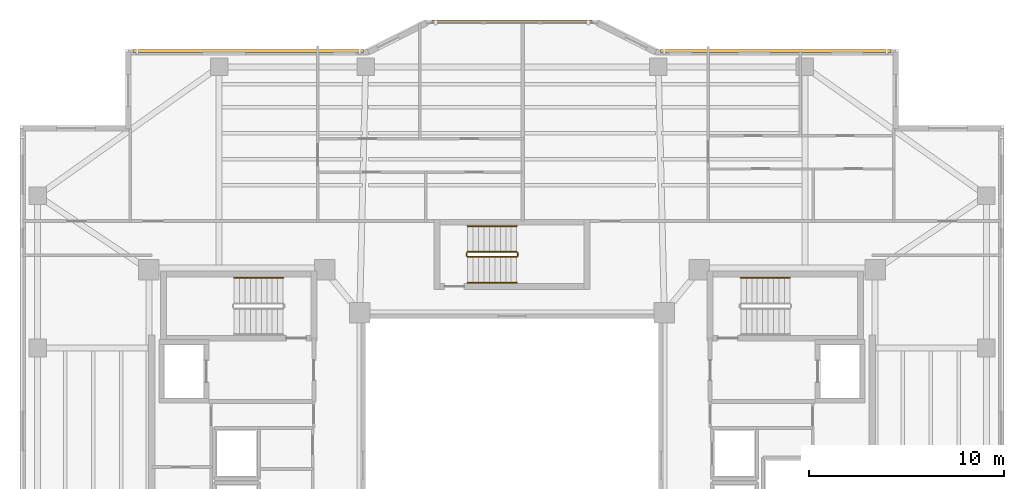
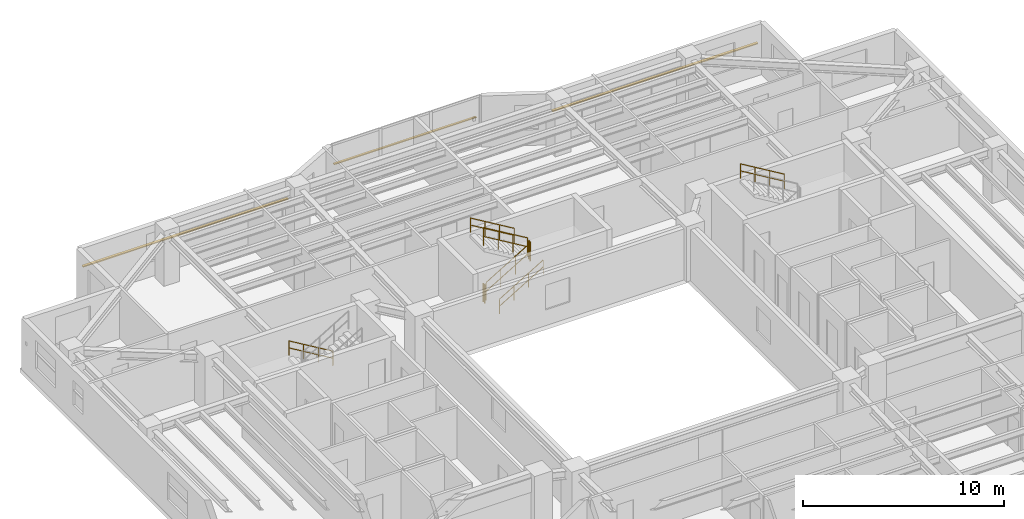
# One storey, part 15 of 15: 8 railings, 3 shading devices.
"""IFC4 building model written with IfcOpenShell, lengths in metres."""

from ifc_helpers import new_model, si_unit, direction, frame, origin, origin_2d, place, context, subcontext, project, spatial, rectangle, circle, extrude, material, material_profile, profile_set, type_object, element, save


model = new_model("IFC4")

# Units and contexts
model_context = context("Model", 3, precision=1e-05, world=origin(), true_north=direction((0.0, 1.0)))
body_context = subcontext(model_context, "Body", "Model", "MODEL_VIEW")
ifc_project = project(units=[si_unit("LENGTHUNIT", "METRE"), si_unit("AREAUNIT", "SQUARE_METRE"), si_unit("VOLUMEUNIT", "CUBIC_METRE"), si_unit("PLANEANGLEUNIT", "RADIAN"), si_unit("MASSUNIT", "GRAM", prefix="KILO")], contexts=[model_context])

# Site, building, storey
site_placement = place(None, origin())
site = spatial("IfcSite", under=ifc_project, at=site_placement, CompositionType="ELEMENT")
building_placement = place(site_placement, origin())
building = spatial("IfcBuilding", under=site, at=building_placement, Name="Tarnavaz Court Tower", CompositionType="ELEMENT")
storey_placement = place(building_placement, frame((0.0, 0.0, 162.75)))
storey = spatial("IfcBuildingStorey", under=building, at=storey_placement, Name="L44", CompositionType="ELEMENT", Elevation=162.75)

# Railings
ifc_material_1 = material(Name="Brushed Stainless Steel", Category="steel")
railing_type_1 = type_object("IfcRailingType", Name="RL-HANDRAIL-900", PredefinedType="HANDRAIL", material=ifc_material_1)
for number, where, name in (
    (1, (-11.719970703125, 9.590087890625, 0.16748046875), "L44 ST-W1 stair handrail 1"),
    (2, (14.239990234375, 9.590087890625, 1.842529296875), "L44 ST-E1 stair handrail 2"),
):
    element("IfcRailing", number, at=place(storey_placement, frame(where)), inside=storey, type_object=railing_type_1, Name=name, PredefinedType="HANDRAIL", context=body_context, shape_type="SweptSolid", body=[
        extrude(circle(Radius=0.02392578125, at=origin_2d()), frame((0.0, 0.0, 0.8759765625), z_axis=(-0.858159760407, 0.0, 0.513382728203), x_axis=(0.0, -1.0, 0.0)), (0.0, 0.0, 1.0), 2.9365234375),
        extrude(circle(Radius=0.02392578125, at=origin_2d()), frame((0.0, 0.0, 0.449951171875), z_axis=(-0.858159760407, 0.0, 0.513382728203), x_axis=(0.0, -1.0, 0.0)), (0.0, 0.0, 1.0), 2.9365234375),
        extrude(circle(Radius=0.02099609375, at=origin_2d()), origin(), (0.0, 0.0, 1.0), 0.851806640625),
        extrude(circle(Radius=0.02099609375, at=origin_2d()), frame((-0.840087890625, 0.0, 0.50244140625)), (0.0, 0.0, 1.0), 0.851806640625),
        extrude(circle(Radius=0.02099609375, at=origin_2d()), frame((-1.679931640625, 0.0, 1.005126953125)), (0.0, 0.0, 1.0), 0.851806640625),
        extrude(circle(Radius=0.02099609375, at=origin_2d()), frame((-2.52001953125, 0.0, 1.507568359375)), (0.0, 0.0, 1.0), 0.851806640625),
    ])
railing_1_placement = place(storey_placement, frame((-2.280029296875, 9.35009765625, 0.16748046875)))
element("IfcRailing", 3, at=railing_1_placement, inside=storey, type_object=railing_type_1, Name="L44 ST-N1 stair handrail 1", PredefinedType="HANDRAIL", context=body_context, shape_type="SweptSolid", body=[
    extrude(circle(Radius=0.02392578125, at=origin_2d()), frame((0.0, 0.0, 0.8759765625), z_axis=(0.858159760407, 0.0, 0.513382728203), x_axis=(0.0, 1.0, 0.0)), (0.0, 0.0, 1.0), 2.9365234375),
    extrude(circle(Radius=0.02392578125, at=origin_2d()), frame((0.0, 0.0, 0.449951171875), z_axis=(0.858159760407, 0.0, 0.513382728203), x_axis=(0.0, 1.0, 0.0)), (0.0, 0.0, 1.0), 2.9365234375),
    extrude(circle(Radius=0.02099609375, at=origin_2d()), origin(), (0.0, 0.0, 1.0), 0.851806640625),
    extrude(circle(Radius=0.02099609375, at=origin_2d()), frame((0.840087890625, 0.0, 0.50244140625)), (0.0, 0.0, 1.0), 0.851806640625),
    extrude(circle(Radius=0.02099609375, at=origin_2d()), frame((1.679931640625, 0.0, 1.005126953125)), (0.0, 0.0, 1.0), 0.851806640625),
    extrude(circle(Radius=0.02099609375, at=origin_2d()), frame((2.52001953125, 0.0, 1.507568359375)), (0.0, 0.0, 1.0), 0.851806640625),
])
railing_2_placement = place(storey_placement, frame((0.239990234375, 12.239990234375, 1.842529296875)))
element("IfcRailing", 4, at=railing_2_placement, inside=storey, type_object=railing_type_1, Name="L44 ST-N1 stair handrail 2", PredefinedType="HANDRAIL", context=body_context, shape_type="SweptSolid", body=[
    extrude(circle(Radius=0.02392578125, at=origin_2d()), frame((0.0, 0.0, 0.8759765625), z_axis=(-0.858159760407, 0.0, 0.513382728203), x_axis=(0.0, -1.0, 0.0)), (0.0, 0.0, 1.0), 2.9365234375),
    extrude(circle(Radius=0.02392578125, at=origin_2d()), frame((0.0, 0.0, 0.449951171875), z_axis=(-0.858159760407, 0.0, 0.513382728203), x_axis=(0.0, -1.0, 0.0)), (0.0, 0.0, 1.0), 2.9365234375),
    extrude(circle(Radius=0.02099609375, at=origin_2d()), origin(), (0.0, 0.0, 1.0), 0.851806640625),
    extrude(circle(Radius=0.02099609375, at=origin_2d()), frame((-0.840087890625, 0.0, 0.50244140625)), (0.0, 0.0, 1.0), 0.851806640625),
    extrude(circle(Radius=0.02099609375, at=origin_2d()), frame((-1.679931640625, 0.0, 1.005126953125)), (0.0, 0.0, 1.0), 0.851806640625),
    extrude(circle(Radius=0.02099609375, at=origin_2d()), frame((-2.52001953125, 0.0, 1.507568359375)), (0.0, 0.0, 1.0), 0.851806640625),
])
ifc_material_2 = material(Name="Galvanized Painted Tubular Steel", Category="steel")
railing_type_2 = type_object("IfcRailingType", Name="RL-STGUARD-1120", PredefinedType="GUARDRAIL", material=ifc_material_2)
railing_3_placement = place(storey_placement, frame((-2.280029296875, 10.669921875, 0.16748046875)))
element("IfcRailing", 5, at=railing_3_placement, inside=storey, type_object=railing_type_2, Name="L44 ST-N1 stair guard 1", PredefinedType="GUARDRAIL", context=body_context, shape_type="SweptSolid", body=[
    extrude(circle(Radius=0.02392578125, at=origin_2d()), frame((0.0, 0.0, 1.09619140625), z_axis=(0.858159760407, 0.0, 0.513382728203), x_axis=(0.0, 1.0, 0.0)), (0.0, 0.0, 1.0), 2.9365234375),
    extrude(circle(Radius=0.02392578125, at=origin_2d()), frame((0.0, 0.0, 0.56005859375), z_axis=(0.858159760407, 0.0, 0.513382728203), x_axis=(0.0, 1.0, 0.0)), (0.0, 0.0, 1.0), 2.9365234375),
    extrude(circle(Radius=0.02099609375, at=origin_2d()), origin(), (0.0, 0.0, 1.0), 1.072021484375),
    extrude(circle(Radius=0.02099609375, at=origin_2d()), frame((0.840087890625, 0.0, 0.50244140625)), (0.0, 0.0, 1.0), 1.072021484375),
    extrude(circle(Radius=0.02099609375, at=origin_2d()), frame((1.679931640625, 0.0, 1.005126953125)), (0.0, 0.0, 1.0), 1.072021484375),
    extrude(circle(Radius=0.02099609375, at=origin_2d()), frame((2.52001953125, 0.0, 1.507568359375)), (0.0, 0.0, 1.0), 1.072021484375),
])
railing_4_placement = place(storey_placement, frame((0.2900390625, 10.719970703125, 1.675048828125)))
element("IfcRailing", 6, at=railing_4_placement, inside=storey, type_object=railing_type_2, Name="L44 ST-N1 stair guard 2", PredefinedType="GUARDRAIL", context=body_context, shape_type="SweptSolid", body=[
    extrude(circle(Radius=0.02392578125, at=origin_2d()), frame((0.0, 0.0, 1.09619140625), z_axis=(0.0, 1.0, 0.0), x_axis=(-1.0, 0.0, 0.0)), (0.0, 0.0, 1.0), 0.150146484375),
    extrude(circle(Radius=0.02392578125, at=origin_2d()), frame((0.0, 0.0, 0.56005859375), z_axis=(0.0, 1.0, 0.0), x_axis=(-1.0, 0.0, 0.0)), (0.0, 0.0, 1.0), 0.150146484375),
    extrude(circle(Radius=0.02099609375, at=origin_2d()), origin(), (0.0, 0.0, 1.0), 1.072021484375),
    extrude(circle(Radius=0.02099609375, at=origin_2d()), frame((0.0, 0.150146484375, 0.0)), (0.0, 0.0, 1.0), 1.072021484375),
])
railing_5_placement = place(storey_placement, frame((0.239990234375, 10.919921875, 1.842529296875)))
element("IfcRailing", 7, at=railing_5_placement, inside=storey, type_object=railing_type_2, Name="L44 ST-N1 stair guard 3", PredefinedType="GUARDRAIL", context=body_context, shape_type="SweptSolid", body=[
    extrude(circle(Radius=0.02392578125, at=origin_2d()), frame((0.0, 0.0, 1.09619140625), z_axis=(-0.858159760407, 0.0, 0.513382728203), x_axis=(0.0, -1.0, 0.0)), (0.0, 0.0, 1.0), 2.9365234375),
    extrude(circle(Radius=0.02392578125, at=origin_2d()), frame((0.0, 0.0, 0.56005859375), z_axis=(-0.858159760407, 0.0, 0.513382728203), x_axis=(0.0, -1.0, 0.0)), (0.0, 0.0, 1.0), 2.9365234375),
    extrude(circle(Radius=0.02099609375, at=origin_2d()), origin(), (0.0, 0.0, 1.0), 1.072021484375),
    extrude(circle(Radius=0.02099609375, at=origin_2d()), frame((-0.840087890625, 0.0, 0.50244140625)), (0.0, 0.0, 1.0), 1.072021484375),
    extrude(circle(Radius=0.02099609375, at=origin_2d()), frame((-1.679931640625, 0.0, 1.005126953125)), (0.0, 0.0, 1.0), 1.072021484375),
    extrude(circle(Radius=0.02099609375, at=origin_2d()), frame((-2.52001953125, 0.0, 1.507568359375)), (0.0, 0.0, 1.0), 1.072021484375),
])
railing_6_placement = place(storey_placement, frame((-2.330078125, 10.719970703125, 0.0)))
element("IfcRailing", 8, at=railing_6_placement, inside=storey, type_object=railing_type_2, Name="L44 ST-N1 stair guard 4", PredefinedType="GUARDRAIL", context=body_context, shape_type="SweptSolid", body=[
    extrude(circle(Radius=0.02392578125, at=origin_2d()), frame((0.0, 0.0, 1.09619140625), z_axis=(0.0, 1.0, 0.0), x_axis=(-1.0, 0.0, 0.0)), (0.0, 0.0, 1.0), 0.150146484375),
    extrude(circle(Radius=0.02392578125, at=origin_2d()), frame((0.0, 0.0, 0.56005859375), z_axis=(0.0, 1.0, 0.0), x_axis=(-1.0, 0.0, 0.0)), (0.0, 0.0, 1.0), 0.150146484375),
    extrude(circle(Radius=0.02099609375, at=origin_2d()), origin(), (0.0, 0.0, 1.0), 1.072021484375),
    extrude(circle(Radius=0.02099609375, at=origin_2d()), frame((0.0, 0.150146484375, 0.0)), (0.0, 0.0, 1.0), 1.072021484375),
])

# Shading devices
ifc_material_3 = material(Name="Kiln-Fired Khorasan Terracotta Ceramic", Category="masonry")
ifc_material_profile_1 = material_profile(ifc_material_3, rectangle(XDim=0.1201171875, YDim=0.06005859375, at=origin_2d()), Name="TC BAGUETTE 120X60")
ifc_profile_set_1 = profile_set([ifc_material_profile_1], Name="Kiln-Fired Khorasan Terracotta Ceramic")
shading_device_type_1 = type_object("IfcShadingDeviceType", Name="SD-BAG-120", PredefinedType="USERDEFINED", material=ifc_profile_set_1)
shading_device_placement = place(storey_placement, frame((-4.10009765625, 22.7099609375, 1.800048828125), z_axis=(1.0, 0.0, 0.0), x_axis=(0.0, 1.0, 0.0)))
element("IfcShadingDevice", 9, at=shading_device_placement, inside=storey, type_object=shading_device_type_1, Name="L44 Terracotta Baguette Screen PBG7", ObjectType="BAGUETTE", PredefinedType="USERDEFINED", context=body_context, shape_type="SweptSolid", body=[
    extrude(rectangle(XDim=0.1201171875, YDim=0.06005859375, at=origin_2d()), origin(), (0.0, 0.0, 1.0), 8.2001953125),
])
ifc_material_profile_2 = material_profile(ifc_material_3, rectangle(XDim=0.14990234375, YDim=0.06494140625, at=origin_2d()), Name="TC BAGUETTE 150X65")
ifc_profile_set_2 = profile_set([ifc_material_profile_2], Name="Kiln-Fired Khorasan Terracotta Ceramic")
shading_device_type_2 = type_object("IfcShadingDeviceType", Name="SD-BAG-150", PredefinedType="USERDEFINED", material=ifc_profile_set_2)
for number, where, z_axis, x_axis, name in (
    (10, (-19.39990234375, 21.2099609375, 1.85009765625), (1.0, 0.0, 0.0), (0.0, 1.0, 0.0), "L44 Terracotta Baguette Screen FBG05"),
    (11, (7.60009765625, 21.2099609375, 1.85009765625), (1.0, 0.0, 0.0), (0.0, 1.0, 0.0), "L44 Terracotta Baguette Screen FBG09"),
):
    element("IfcShadingDevice", number, at=place(storey_placement, frame(where, z_axis=z_axis, x_axis=x_axis)), inside=storey, type_object=shading_device_type_2, Name=name, ObjectType="BAGUETTE", PredefinedType="USERDEFINED", context=body_context, shape_type="SweptSolid", body=[
        extrude(rectangle(XDim=0.14990234375, YDim=0.06494140625, at=origin_2d()), origin(), (0.0, 0.0, 1.0), 11.7998046875),
    ])

save(model, "model.ifc")
